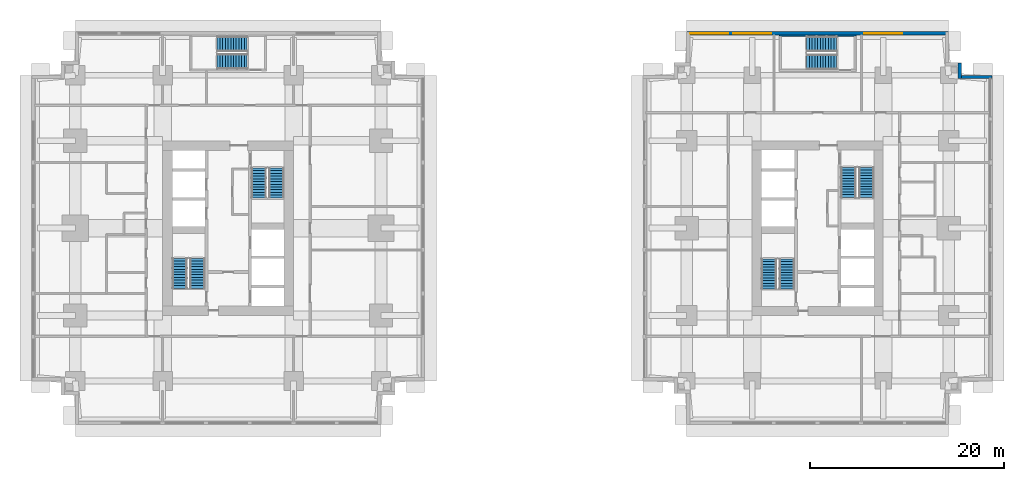
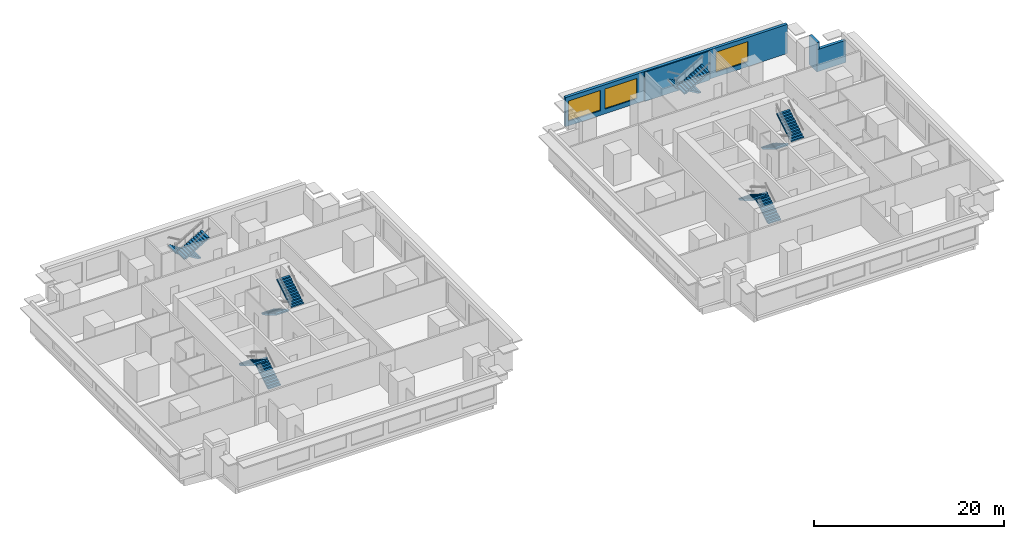
# One storey, part 8 of 11: 12 stair flights, 4 walls, 3 windows, 3 openings, 6 elements without a shape of their own.
"""IFC4 building model written with IfcOpenShell, lengths in metres."""

from ifc_helpers import new_model, si_unit, direction, frame, frame_2d, origin, place, context, subcontext, project, spatial, polyline, rectangle, outline, extrude, material, layer, layer_set, type_object, element, fill, aggregate, save


model = new_model("IFC4")

# Units and contexts
model_context = context("Model", 3, precision=1e-05, world=origin(), true_north=direction((0.0, 1.0)))
body_context = subcontext(model_context, "Body", "Model", "MODEL_VIEW")
ifc_project = project(units=[si_unit("LENGTHUNIT", "METRE"), si_unit("AREAUNIT", "SQUARE_METRE"), si_unit("VOLUMEUNIT", "CUBIC_METRE"), si_unit("PLANEANGLEUNIT", "RADIAN"), si_unit("MASSUNIT", "GRAM", prefix="KILO")], contexts=[model_context])

# Site, building, storey
site_placement = place(None, origin())
site = spatial("IfcSite", under=ifc_project, at=site_placement, CompositionType="ELEMENT")
building_placement = place(site_placement, origin())
building = spatial("IfcBuilding", under=site, at=building_placement, Name="Namib Vertical Campus", CompositionType="ELEMENT")
storey_placement = place(building_placement, frame((0.0, 0.0, 57.0)))
storey = spatial("IfcBuildingStorey", under=building, at=storey_placement, Name="L13", CompositionType="ELEMENT", Elevation=57.0)

# Walls
ifc_material_1 = material(Name="Concrete C40/50", Category="concrete")
ifc_layer_1 = layer(ifc_material_1, 0.35009765625)
ifc_layer_set_1 = layer_set([ifc_layer_1], Name="Concrete C40/50")
wall_type_1 = type_object("IfcWallType", Name="External wall 350 bush-hammered concrete", PredefinedType="STANDARD", material=ifc_layer_set_1)
wall_1_placement = place(storey_placement, frame((98.97998046875, 35.824951171875, 0.0), z_axis=(0.0, 0.0, 1.0), x_axis=(-1.0, 0.0, 0.0)))
element("IfcWall", 1, at=wall_1_placement, inside=storey, type_object=wall_type_1, Name="External wall L13 F07", PredefinedType="STANDARD", context=body_context, shape_type="SweptSolid", body=[
    extrude(rectangle(XDim=3.510009765625, YDim=0.35009765625, at=frame_2d((1.7548828125, 0.0))), origin(), (0.0, 0.0, 1.0), 2.85009765625),
])
wall_2_placement = place(storey_placement, frame((95.625, 35.669921875, 0.0), z_axis=(0.0, 0.0, 1.0), x_axis=(0.0, 1.0, 0.0)))
element("IfcWall", 2, at=wall_2_placement, inside=storey, type_object=wall_type_1, Name="External wall L13 F08", PredefinedType="STANDARD", context=body_context, shape_type="SweptSolid", body=[
    extrude(rectangle(XDim=1.610107421875, YDim=0.35009765625, at=frame_2d((0.80517578125, 0.0))), origin(), (0.0, 0.0, 1.0), 3.75),
])

# Wall, openings, windows
wall_3_placement = place(storey_placement, frame((94.47998046875, 40.324951171875, 0.0), z_axis=(0.0, 0.0, 1.0), x_axis=(-1.0, 0.0, 0.0)))
wall_3 = element("IfcWall", 3, at=wall_3_placement, inside=storey, type_object=wall_type_1, Name="External wall L13 F11", PredefinedType="STANDARD", context=body_context, shape_type="SweptSolid", body=[
    extrude(rectangle(XDim=26.9599609375, YDim=0.35009765625, at=frame_2d((13.47998046875, 0.0))), origin(), (0.0, 0.0, 1.0), 3.75),
])
opening_1_placement = place(wall_3_placement, frame((22.7099609375, 0.0, 0.60009765625)))
opening_1 = element("IfcOpeningElement", 4, at=opening_1_placement, cuts=wall_3, Name="Opening W2", PredefinedType="OPENING", context=body_context, shape_type="SweptSolid", body=[
    extrude(rectangle(XDim=3.89990234375, YDim=2.60009765625, at=frame_2d((1.949951171875, 1.300048828125))), frame((0.0, 0.18505859375, 0.0), z_axis=(0.0, -1.0, 0.0), x_axis=(1.0, 0.0, 0.0)), (0.0, 0.0, 1.0), 0.3701171875),
])
opening_2_placement = place(wall_3_placement, frame((18.280029296875, 0.0, 0.60009765625)))
opening_2 = element("IfcOpeningElement", 5, at=opening_2_placement, cuts=wall_3, Name="Opening W2", PredefinedType="OPENING", context=body_context, shape_type="SweptSolid", body=[
    extrude(rectangle(XDim=3.89990234375, YDim=2.60009765625, at=frame_2d((1.949951171875, 1.300048828125))), frame((0.0, 0.18505859375, 0.0), z_axis=(0.0, -1.0, 0.0), x_axis=(1.0, 0.0, 0.0)), (0.0, 0.0, 1.0), 0.3701171875),
])
opening_3_placement = place(wall_3_placement, frame((4.780029296875, 0.0, 0.60009765625)))
opening_3 = element("IfcOpeningElement", 6, at=opening_3_placement, cuts=wall_3, Name="Opening W2", PredefinedType="OPENING", context=body_context, shape_type="SweptSolid", body=[
    extrude(rectangle(XDim=3.89990234375, YDim=2.60009765625, at=frame_2d((1.949951171875, 1.300048828125))), frame((0.0, 0.18505859375, 0.0), z_axis=(0.0, -1.0, 0.0), x_axis=(1.0, 0.0, 0.0)), (0.0, 0.0, 1.0), 0.3701171875),
])
ifc_material_2 = material(Name="Dark tinted glass in black aluminium frame", Category="aluminium")
window_type = type_object("IfcWindowType", Name="Ribbon window 3900x2600", PartitioningType="SINGLE_PANEL", PredefinedType="WINDOW", material=ifc_material_2)
window_1_placement = place(opening_1_placement, origin())
window_1 = element("IfcWindow", 7, at=window_1_placement, inside=storey, type_object=window_type, Name="Window W2 L13 F11-1", OverallHeight=2.60009765625, OverallWidth=3.89990234375, PartitioningType="SINGLE_PANEL", PredefinedType="WINDOW", context=body_context, shape_type="SweptSolid", body=[
    extrude(rectangle(XDim=3.89990234375, YDim=2.60009765625, at=frame_2d((1.949951171875, 1.300048828125))), frame((0.0, 0.030029296875, 0.0), z_axis=(0.0, -1.0, 0.0), x_axis=(1.0, 0.0, 0.0)), (0.0, 0.0, 1.0), 0.06005859375),
])
fill(opening_1, window_1)
window_2_placement = place(opening_2_placement, origin())
window_2 = element("IfcWindow", 8, at=window_2_placement, inside=storey, type_object=window_type, Name="Window W2 L13 F11-2", OverallHeight=2.60009765625, OverallWidth=3.89990234375, PartitioningType="SINGLE_PANEL", PredefinedType="WINDOW", context=body_context, shape_type="SweptSolid", body=[
    extrude(rectangle(XDim=3.89990234375, YDim=2.60009765625, at=frame_2d((1.949951171875, 1.300048828125))), frame((0.0, 0.030029296875, 0.0), z_axis=(0.0, -1.0, 0.0), x_axis=(1.0, 0.0, 0.0)), (0.0, 0.0, 1.0), 0.06005859375),
])
fill(opening_2, window_2)
window_3_placement = place(opening_3_placement, origin())
window_3 = element("IfcWindow", 9, at=window_3_placement, inside=storey, type_object=window_type, Name="Window W2 L13 F11-5", OverallHeight=2.60009765625, OverallWidth=3.89990234375, PartitioningType="SINGLE_PANEL", PredefinedType="WINDOW", context=body_context, shape_type="SweptSolid", body=[
    extrude(rectangle(XDim=3.89990234375, YDim=2.60009765625, at=frame_2d((1.949951171875, 1.300048828125))), frame((0.0, 0.030029296875, 0.0), z_axis=(0.0, -1.0, 0.0), x_axis=(1.0, 0.0, 0.0)), (0.0, 0.0, 1.0), 0.06005859375),
])
fill(opening_3, window_3)

# Wall
ifc_material_3 = material(Name="Concrete C40/50", Category="concrete")
ifc_layer_2 = layer(ifc_material_3, 0.14990234375)
ifc_layer_set_2 = layer_set([ifc_layer_2], Name="Concrete C40/50")
wall_type_2 = type_object("IfcWallType", Name="Stair enclosure wall RC 150", PredefinedType="SOLIDWALL", material=ifc_layer_set_2)
wall_4_placement = place(storey_placement, frame((77.050048828125, 40.074951171875, 0.0), z_axis=(0.0, 0.0, 1.0), x_axis=(1.0, 0.0, 0.0)))
element("IfcWall", 10, at=wall_4_placement, inside=storey, type_object=wall_type_2, Name="Stair enclosure wall B-S3 L13 N", PredefinedType="SOLIDWALL", context=body_context, shape_type="SweptSolid", body=[
    extrude(rectangle(XDim=7.89990234375, YDim=0.14990234375, at=frame_2d((3.949951171875, 0.0))), origin(), (0.0, 0.0, 1.0), 3.75),
])

# Stair, stair flights
ifc_material_4 = material(Name="Concrete C40/50 precast", Category="concrete")
stair_type_1 = type_object("IfcStairType", Name="Exit stair 4000 rise 24 risers 3350 wide", PredefinedType="HALF_TURN_STAIR", material=ifc_material_4)
stair_1_placement = place(storey_placement, origin())
stair_1 = element("IfcStair", 11, at=stair_1_placement, inside=storey, type_object=stair_type_1, Name="Exit stair A-S1 L13", PredefinedType="HALF_TURN_STAIR")
ifc_material_5 = material(Name="Concrete C40/50 precast", Category="concrete")
stair_flight_type_1 = type_object("IfcStairFlightType", Name="Stair flight 12 risers 167 1525 wide", PredefinedType="STRAIGHT", material=ifc_material_5)
stair_flight_1_placement = place(storey_placement, frame((17.08740234375, 14.050048828125, 0.0), z_axis=(0.0, 0.0, 1.0), x_axis=(0.0, 1.0, 0.0)))
stair_flight_1 = element("IfcStairFlight", 12, at=stair_flight_1_placement, type_object=stair_flight_type_1, Name="A-S1 flight 1", NumberOfRisers=12, NumberOfTreads=11, PredefinedType="STRAIGHT", RiserHeight=0.166666667, TreadLength=0.28, context=body_context, shape_type="SweptSolid", body=[
    extrude(outline(polyline([(0.0, 0.0), (0.0, 0.166748046875), (0.280029296875, 0.166748046875), (0.280029296875, 0.333251953125), (0.56005859375, 0.333251953125), (0.56005859375, 0.5), (0.840087890625, 0.5), (0.840087890625, 0.666748046875), (1.1201171875, 0.666748046875), (1.1201171875, 0.833251953125), (1.39990234375, 0.833251953125), (1.39990234375, 1.0), (1.679931640625, 1.0), (1.679931640625, 1.166748046875), (1.9599609375, 1.166748046875), (1.9599609375, 1.333251953125), (2.239990234375, 1.333251953125), (2.239990234375, 1.5), (2.52001953125, 1.5), (2.52001953125, 1.666748046875), (2.800048828125, 1.666748046875), (2.800048828125, 1.833251953125), (3.080078125, 1.833251953125), (3.080078125, 2.0), (3.080078125, 1.658935546875), (0.29296875, 0.0), (0.0, 0.0)])), frame((0.0, 0.762451171875, 0.0), z_axis=(0.0, -1.0, 0.0), x_axis=(1.0, 0.0, 0.0)), (0.0, 0.0, 1.0), 1.52490234375),
])
stair_flight_2_placement = place(storey_placement, frame((15.262451171875, 17.1298828125, 2.0), z_axis=(0.0, 0.0, 1.0), x_axis=(0.0, -1.0, 0.0)))
stair_flight_2 = element("IfcStairFlight", 13, at=stair_flight_2_placement, type_object=stair_flight_type_1, Name="A-S1 flight 2", NumberOfRisers=12, NumberOfTreads=11, PredefinedType="STRAIGHT", RiserHeight=0.166666667, TreadLength=0.28, context=body_context, shape_type="SweptSolid", body=[
    extrude(outline(polyline([(0.0, 0.0), (0.0, 0.166748046875), (0.280029296875, 0.166748046875), (0.280029296875, 0.333251953125), (0.56005859375, 0.333251953125), (0.56005859375, 0.5), (0.840087890625, 0.5), (0.840087890625, 0.666748046875), (1.1201171875, 0.666748046875), (1.1201171875, 0.833251953125), (1.39990234375, 0.833251953125), (1.39990234375, 1.0), (1.679931640625, 1.0), (1.679931640625, 1.166748046875), (1.9599609375, 1.166748046875), (1.9599609375, 1.333251953125), (2.239990234375, 1.333251953125), (2.239990234375, 1.5), (2.52001953125, 1.5), (2.52001953125, 1.666748046875), (2.800048828125, 1.666748046875), (2.800048828125, 1.833251953125), (3.080078125, 1.833251953125), (3.080078125, 2.0), (3.080078125, 1.658935546875), (0.29296875, 0.0), (0.0, 0.0)])), frame((0.0, 0.762451171875, 0.0), z_axis=(0.0, -1.0, 0.0), x_axis=(1.0, 0.0, 0.0)), (0.0, 0.0, 1.0), 1.52490234375),
])
aggregate(stair_1, [stair_flight_1, stair_flight_2])

stair_2_placement = place(storey_placement, origin())
stair_2 = element("IfcStair", 14, at=stair_2_placement, inside=storey, type_object=stair_type_1, Name="Exit stair A-S2 L13", PredefinedType="HALF_TURN_STAIR")
stair_flight_3_placement = place(storey_placement, frame((23.41259765625, 26.449951171875, 0.0), z_axis=(0.0, 0.0, 1.0), x_axis=(0.0, -1.0, 0.0)))
stair_flight_3 = element("IfcStairFlight", 15, at=stair_flight_3_placement, type_object=stair_flight_type_1, Name="A-S2 flight 1", NumberOfRisers=12, NumberOfTreads=11, PredefinedType="STRAIGHT", RiserHeight=0.166666667, TreadLength=0.28, context=body_context, shape_type="SweptSolid", body=[
    extrude(outline(polyline([(0.0, 0.0), (0.0, 0.166748046875), (0.280029296875, 0.166748046875), (0.280029296875, 0.333251953125), (0.56005859375, 0.333251953125), (0.56005859375, 0.5), (0.840087890625, 0.5), (0.840087890625, 0.666748046875), (1.1201171875, 0.666748046875), (1.1201171875, 0.833251953125), (1.39990234375, 0.833251953125), (1.39990234375, 1.0), (1.679931640625, 1.0), (1.679931640625, 1.166748046875), (1.9599609375, 1.166748046875), (1.9599609375, 1.333251953125), (2.239990234375, 1.333251953125), (2.239990234375, 1.5), (2.52001953125, 1.5), (2.52001953125, 1.666748046875), (2.800048828125, 1.666748046875), (2.800048828125, 1.833251953125), (3.080078125, 1.833251953125), (3.080078125, 2.0), (3.080078125, 1.658935546875), (0.29296875, 0.0), (0.0, 0.0)])), frame((0.0, 0.762451171875, 0.0), z_axis=(0.0, -1.0, 0.0), x_axis=(1.0, 0.0, 0.0)), (0.0, 0.0, 1.0), 1.52490234375),
])
stair_flight_4_placement = place(storey_placement, frame((25.237548828125, 23.3701171875, 2.0), z_axis=(0.0, 0.0, 1.0), x_axis=(0.0, 1.0, 0.0)))
stair_flight_4 = element("IfcStairFlight", 16, at=stair_flight_4_placement, type_object=stair_flight_type_1, Name="A-S2 flight 2", NumberOfRisers=12, NumberOfTreads=11, PredefinedType="STRAIGHT", RiserHeight=0.166666667, TreadLength=0.28, context=body_context, shape_type="SweptSolid", body=[
    extrude(outline(polyline([(0.0, 0.0), (0.0, 0.166748046875), (0.280029296875, 0.166748046875), (0.280029296875, 0.333251953125), (0.56005859375, 0.333251953125), (0.56005859375, 0.5), (0.840087890625, 0.5), (0.840087890625, 0.666748046875), (1.1201171875, 0.666748046875), (1.1201171875, 0.833251953125), (1.39990234375, 0.833251953125), (1.39990234375, 1.0), (1.679931640625, 1.0), (1.679931640625, 1.166748046875), (1.9599609375, 1.166748046875), (1.9599609375, 1.333251953125), (2.239990234375, 1.333251953125), (2.239990234375, 1.5), (2.52001953125, 1.5), (2.52001953125, 1.666748046875), (2.800048828125, 1.666748046875), (2.800048828125, 1.833251953125), (3.080078125, 1.833251953125), (3.080078125, 2.0), (3.080078125, 1.658935546875), (0.29296875, 0.0), (0.0, 0.0)])), frame((0.0, 0.762451171875, 0.0), z_axis=(0.0, -1.0, 0.0), x_axis=(1.0, 0.0, 0.0)), (0.0, 0.0, 1.0), 1.52490234375),
])
aggregate(stair_2, [stair_flight_3, stair_flight_4])

stair_3_placement = place(storey_placement, origin())
stair_3 = element("IfcStair", 17, at=stair_3_placement, inside=storey, type_object=stair_type_1, Name="Exit stair A-S3 L13", PredefinedType="HALF_TURN_STAIR")
stair_flight_5_placement = place(storey_placement, frame((22.199951171875, 39.237548828125, 0.0), z_axis=(0.0, 0.0, 1.0), x_axis=(-1.0, 0.0, 0.0)))
stair_flight_5 = element("IfcStairFlight", 18, at=stair_flight_5_placement, type_object=stair_flight_type_1, Name="A-S3 flight 1", NumberOfRisers=12, NumberOfTreads=11, PredefinedType="STRAIGHT", RiserHeight=0.166666667, TreadLength=0.28, context=body_context, shape_type="SweptSolid", body=[
    extrude(outline(polyline([(0.0, 0.0), (0.0, 0.166748046875), (0.280029296875, 0.166748046875), (0.280029296875, 0.333251953125), (0.56005859375, 0.333251953125), (0.56005859375, 0.5), (0.840087890625, 0.5), (0.840087890625, 0.666748046875), (1.1201171875, 0.666748046875), (1.1201171875, 0.833251953125), (1.39990234375, 0.833251953125), (1.39990234375, 1.0), (1.679931640625, 1.0), (1.679931640625, 1.166748046875), (1.9599609375, 1.166748046875), (1.9599609375, 1.333251953125), (2.239990234375, 1.333251953125), (2.239990234375, 1.5), (2.52001953125, 1.5), (2.52001953125, 1.666748046875), (2.800048828125, 1.666748046875), (2.800048828125, 1.833251953125), (3.080078125, 1.833251953125), (3.080078125, 2.0), (3.080078125, 1.658935546875), (0.29296875, 0.0), (0.0, 0.0)])), frame((0.0, 0.762451171875, 0.0), z_axis=(0.0, -1.0, 0.0), x_axis=(1.0, 0.0, 0.0)), (0.0, 0.0, 1.0), 1.52490234375),
])
stair_flight_6_placement = place(storey_placement, frame((19.1201171875, 37.41259765625, 2.0), z_axis=(0.0, 0.0, 1.0), x_axis=(1.0, 0.0, 0.0)))
stair_flight_6 = element("IfcStairFlight", 19, at=stair_flight_6_placement, type_object=stair_flight_type_1, Name="A-S3 flight 2", NumberOfRisers=12, NumberOfTreads=11, PredefinedType="STRAIGHT", RiserHeight=0.166666667, TreadLength=0.28, context=body_context, shape_type="SweptSolid", body=[
    extrude(outline(polyline([(0.0, 0.0), (0.0, 0.166748046875), (0.280029296875, 0.166748046875), (0.280029296875, 0.333251953125), (0.56005859375, 0.333251953125), (0.56005859375, 0.5), (0.840087890625, 0.5), (0.840087890625, 0.666748046875), (1.1201171875, 0.666748046875), (1.1201171875, 0.833251953125), (1.39990234375, 0.833251953125), (1.39990234375, 1.0), (1.679931640625, 1.0), (1.679931640625, 1.166748046875), (1.9599609375, 1.166748046875), (1.9599609375, 1.333251953125), (2.239990234375, 1.333251953125), (2.239990234375, 1.5), (2.52001953125, 1.5), (2.52001953125, 1.666748046875), (2.800048828125, 1.666748046875), (2.800048828125, 1.833251953125), (3.080078125, 1.833251953125), (3.080078125, 2.0), (3.080078125, 1.658935546875), (0.29296875, 0.0), (0.0, 0.0)])), frame((0.0, 0.762451171875, 0.0), z_axis=(0.0, -1.0, 0.0), x_axis=(1.0, 0.0, 0.0)), (0.0, 0.0, 1.0), 1.52490234375),
])
aggregate(stair_3, [stair_flight_5, stair_flight_6])

ifc_material_6 = material(Name="Concrete C40/50 precast", Category="concrete")
stair_type_2 = type_object("IfcStairType", Name="Exit stair 4000 rise 24 risers 3400 wide", PredefinedType="HALF_TURN_STAIR", material=ifc_material_6)
stair_4_placement = place(storey_placement, origin())
stair_4 = element("IfcStair", 20, at=stair_4_placement, inside=storey, type_object=stair_type_2, Name="Exit stair B-S1 L13", PredefinedType="HALF_TURN_STAIR")
ifc_material_7 = material(Name="Concrete C40/50 precast", Category="concrete")
stair_flight_type_2 = type_object("IfcStairFlightType", Name="Stair flight 12 risers 167 1550 wide", PredefinedType="STRAIGHT", material=ifc_material_7)
stair_flight_7_placement = place(storey_placement, frame((77.824951171875, 14.0, 0.0), z_axis=(0.0, 0.0, 1.0), x_axis=(0.0, 1.0, 0.0)))
stair_flight_7 = element("IfcStairFlight", 21, at=stair_flight_7_placement, type_object=stair_flight_type_2, Name="B-S1 flight 1", NumberOfRisers=12, NumberOfTreads=11, PredefinedType="STRAIGHT", RiserHeight=0.166666667, TreadLength=0.28, context=body_context, shape_type="SweptSolid", body=[
    extrude(outline(polyline([(0.0, 0.0), (0.0, 0.166748046875), (0.280029296875, 0.166748046875), (0.280029296875, 0.333251953125), (0.56005859375, 0.333251953125), (0.56005859375, 0.5), (0.840087890625, 0.5), (0.840087890625, 0.666748046875), (1.1201171875, 0.666748046875), (1.1201171875, 0.833251953125), (1.39990234375, 0.833251953125), (1.39990234375, 1.0), (1.679931640625, 1.0), (1.679931640625, 1.166748046875), (1.9599609375, 1.166748046875), (1.9599609375, 1.333251953125), (2.239990234375, 1.333251953125), (2.239990234375, 1.5), (2.52001953125, 1.5), (2.52001953125, 1.666748046875), (2.800048828125, 1.666748046875), (2.800048828125, 1.833251953125), (3.080078125, 1.833251953125), (3.080078125, 2.0), (3.080078125, 1.658935546875), (0.29296875, 0.0), (0.0, 0.0)])), frame((0.0, 0.77490234375, 0.0), z_axis=(0.0, -1.0, 0.0), x_axis=(1.0, 0.0, 0.0)), (0.0, 0.0, 1.0), 1.550048828125),
])
stair_flight_8_placement = place(storey_placement, frame((75.97509765625, 17.080078125, 2.0), z_axis=(0.0, 0.0, 1.0), x_axis=(0.0, -1.0, 0.0)))
stair_flight_8 = element("IfcStairFlight", 22, at=stair_flight_8_placement, type_object=stair_flight_type_2, Name="B-S1 flight 2", NumberOfRisers=12, NumberOfTreads=11, PredefinedType="STRAIGHT", RiserHeight=0.166666667, TreadLength=0.28, context=body_context, shape_type="SweptSolid", body=[
    extrude(outline(polyline([(0.0, 0.0), (0.0, 0.166748046875), (0.280029296875, 0.166748046875), (0.280029296875, 0.333251953125), (0.56005859375, 0.333251953125), (0.56005859375, 0.5), (0.840087890625, 0.5), (0.840087890625, 0.666748046875), (1.1201171875, 0.666748046875), (1.1201171875, 0.833251953125), (1.39990234375, 0.833251953125), (1.39990234375, 1.0), (1.679931640625, 1.0), (1.679931640625, 1.166748046875), (1.9599609375, 1.166748046875), (1.9599609375, 1.333251953125), (2.239990234375, 1.333251953125), (2.239990234375, 1.5), (2.52001953125, 1.5), (2.52001953125, 1.666748046875), (2.800048828125, 1.666748046875), (2.800048828125, 1.833251953125), (3.080078125, 1.833251953125), (3.080078125, 2.0), (3.080078125, 1.658935546875), (0.29296875, 0.0), (0.0, 0.0)])), frame((0.0, 0.77490234375, 0.0), z_axis=(0.0, -1.0, 0.0), x_axis=(1.0, 0.0, 0.0)), (0.0, 0.0, 1.0), 1.550048828125),
])
aggregate(stair_4, [stair_flight_7, stair_flight_8])

stair_5_placement = place(storey_placement, origin())
stair_5 = element("IfcStair", 23, at=stair_5_placement, inside=storey, type_object=stair_type_2, Name="Exit stair B-S2 L13", PredefinedType="HALF_TURN_STAIR")
stair_flight_9_placement = place(storey_placement, frame((84.175048828125, 26.5, 0.0), z_axis=(0.0, 0.0, 1.0), x_axis=(0.0, -1.0, 0.0)))
stair_flight_9 = element("IfcStairFlight", 24, at=stair_flight_9_placement, type_object=stair_flight_type_2, Name="B-S2 flight 1", NumberOfRisers=12, NumberOfTreads=11, PredefinedType="STRAIGHT", RiserHeight=0.166666667, TreadLength=0.28, context=body_context, shape_type="SweptSolid", body=[
    extrude(outline(polyline([(0.0, 0.0), (0.0, 0.166748046875), (0.280029296875, 0.166748046875), (0.280029296875, 0.333251953125), (0.56005859375, 0.333251953125), (0.56005859375, 0.5), (0.840087890625, 0.5), (0.840087890625, 0.666748046875), (1.1201171875, 0.666748046875), (1.1201171875, 0.833251953125), (1.39990234375, 0.833251953125), (1.39990234375, 1.0), (1.679931640625, 1.0), (1.679931640625, 1.166748046875), (1.9599609375, 1.166748046875), (1.9599609375, 1.333251953125), (2.239990234375, 1.333251953125), (2.239990234375, 1.5), (2.52001953125, 1.5), (2.52001953125, 1.666748046875), (2.800048828125, 1.666748046875), (2.800048828125, 1.833251953125), (3.080078125, 1.833251953125), (3.080078125, 2.0), (3.080078125, 1.658935546875), (0.29296875, 0.0), (0.0, 0.0)])), frame((0.0, 0.77490234375, 0.0), z_axis=(0.0, -1.0, 0.0), x_axis=(1.0, 0.0, 0.0)), (0.0, 0.0, 1.0), 1.550048828125),
])
stair_flight_10_placement = place(storey_placement, frame((86.02490234375, 23.419921875, 2.0), z_axis=(0.0, 0.0, 1.0), x_axis=(0.0, 1.0, 0.0)))
stair_flight_10 = element("IfcStairFlight", 25, at=stair_flight_10_placement, type_object=stair_flight_type_2, Name="B-S2 flight 2", NumberOfRisers=12, NumberOfTreads=11, PredefinedType="STRAIGHT", RiserHeight=0.166666667, TreadLength=0.28, context=body_context, shape_type="SweptSolid", body=[
    extrude(outline(polyline([(0.0, 0.0), (0.0, 0.166748046875), (0.280029296875, 0.166748046875), (0.280029296875, 0.333251953125), (0.56005859375, 0.333251953125), (0.56005859375, 0.5), (0.840087890625, 0.5), (0.840087890625, 0.666748046875), (1.1201171875, 0.666748046875), (1.1201171875, 0.833251953125), (1.39990234375, 0.833251953125), (1.39990234375, 1.0), (1.679931640625, 1.0), (1.679931640625, 1.166748046875), (1.9599609375, 1.166748046875), (1.9599609375, 1.333251953125), (2.239990234375, 1.333251953125), (2.239990234375, 1.5), (2.52001953125, 1.5), (2.52001953125, 1.666748046875), (2.800048828125, 1.666748046875), (2.800048828125, 1.833251953125), (3.080078125, 1.833251953125), (3.080078125, 2.0), (3.080078125, 1.658935546875), (0.29296875, 0.0), (0.0, 0.0)])), frame((0.0, 0.77490234375, 0.0), z_axis=(0.0, -1.0, 0.0), x_axis=(1.0, 0.0, 0.0)), (0.0, 0.0, 1.0), 1.550048828125),
])
aggregate(stair_5, [stair_flight_9, stair_flight_10])

stair_6_placement = place(storey_placement, origin())
stair_6 = element("IfcStair", 26, at=stair_6_placement, inside=storey, type_object=stair_type_2, Name="Exit stair B-S3 L13", PredefinedType="HALF_TURN_STAIR")
stair_flight_11_placement = place(storey_placement, frame((82.949951171875, 39.22509765625, 0.0), z_axis=(0.0, 0.0, 1.0), x_axis=(-1.0, 0.0, 0.0)))
stair_flight_11 = element("IfcStairFlight", 27, at=stair_flight_11_placement, type_object=stair_flight_type_2, Name="B-S3 flight 1", NumberOfRisers=12, NumberOfTreads=11, PredefinedType="STRAIGHT", RiserHeight=0.166666667, TreadLength=0.28, context=body_context, shape_type="SweptSolid", body=[
    extrude(outline(polyline([(0.0, 0.0), (0.0, 0.166748046875), (0.280029296875, 0.166748046875), (0.280029296875, 0.333251953125), (0.56005859375, 0.333251953125), (0.56005859375, 0.5), (0.840087890625, 0.5), (0.840087890625, 0.666748046875), (1.1201171875, 0.666748046875), (1.1201171875, 0.833251953125), (1.39990234375, 0.833251953125), (1.39990234375, 1.0), (1.679931640625, 1.0), (1.679931640625, 1.166748046875), (1.9599609375, 1.166748046875), (1.9599609375, 1.333251953125), (2.239990234375, 1.333251953125), (2.239990234375, 1.5), (2.52001953125, 1.5), (2.52001953125, 1.666748046875), (2.800048828125, 1.666748046875), (2.800048828125, 1.833251953125), (3.080078125, 1.833251953125), (3.080078125, 2.0), (3.080078125, 1.658935546875), (0.29296875, 0.0), (0.0, 0.0)])), frame((0.0, 0.77490234375, 0.0), z_axis=(0.0, -1.0, 0.0), x_axis=(1.0, 0.0, 0.0)), (0.0, 0.0, 1.0), 1.550048828125),
])
stair_flight_12_placement = place(storey_placement, frame((79.8701171875, 37.375, 2.0), z_axis=(0.0, 0.0, 1.0), x_axis=(1.0, 0.0, 0.0)))
stair_flight_12 = element("IfcStairFlight", 28, at=stair_flight_12_placement, type_object=stair_flight_type_2, Name="B-S3 flight 2", NumberOfRisers=12, NumberOfTreads=11, PredefinedType="STRAIGHT", RiserHeight=0.166666667, TreadLength=0.28, context=body_context, shape_type="SweptSolid", body=[
    extrude(outline(polyline([(0.0, 0.0), (0.0, 0.166748046875), (0.280029296875, 0.166748046875), (0.280029296875, 0.333251953125), (0.56005859375, 0.333251953125), (0.56005859375, 0.5), (0.840087890625, 0.5), (0.840087890625, 0.666748046875), (1.1201171875, 0.666748046875), (1.1201171875, 0.833251953125), (1.39990234375, 0.833251953125), (1.39990234375, 1.0), (1.679931640625, 1.0), (1.679931640625, 1.166748046875), (1.9599609375, 1.166748046875), (1.9599609375, 1.333251953125), (2.239990234375, 1.333251953125), (2.239990234375, 1.5), (2.52001953125, 1.5), (2.52001953125, 1.666748046875), (2.800048828125, 1.666748046875), (2.800048828125, 1.833251953125), (3.080078125, 1.833251953125), (3.080078125, 2.0), (3.080078125, 1.658935546875), (0.29296875, 0.0), (0.0, 0.0)])), frame((0.0, 0.77490234375, 0.0), z_axis=(0.0, -1.0, 0.0), x_axis=(1.0, 0.0, 0.0)), (0.0, 0.0, 1.0), 1.550048828125),
])
aggregate(stair_6, [stair_flight_11, stair_flight_12])

save(model, "model.ifc")
